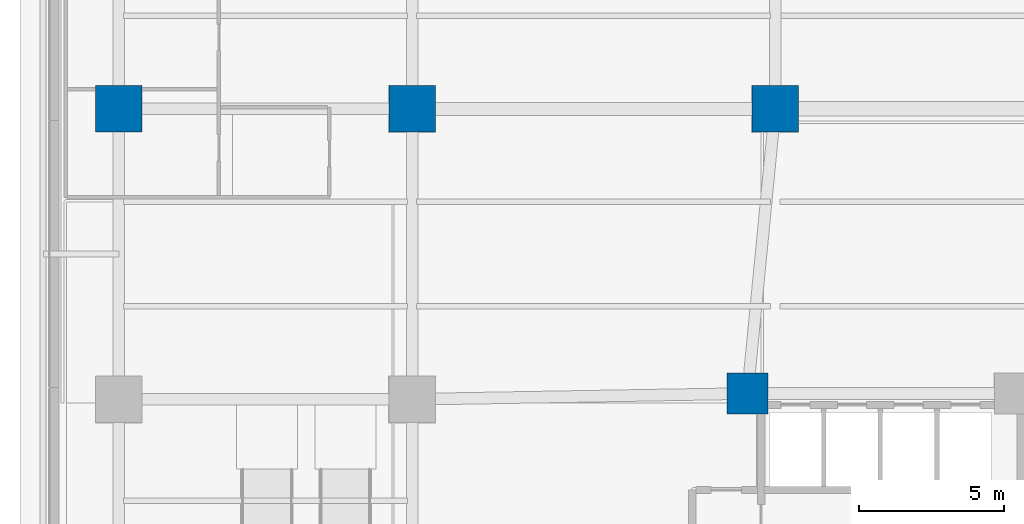
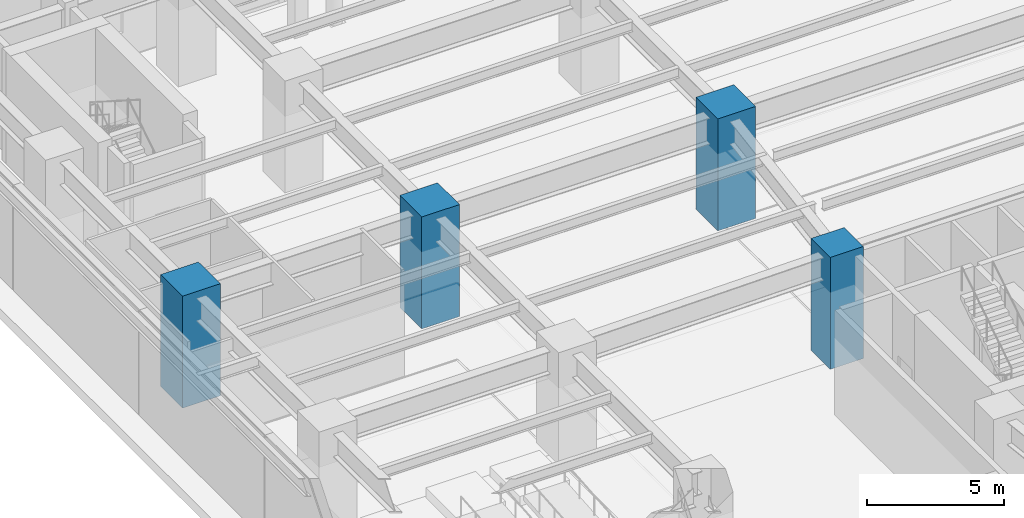
# One storey, part 2 of 26: 4 columns.
"""IFC4 building model written with IfcOpenShell, lengths in metres."""

from ifc_helpers import new_model, si_unit, direction, frame, origin, origin_2d, place, context, subcontext, project, spatial, rectangle, extrude, material, material_profile, profile_set, type_object, element, save


model = new_model("IFC4")

# Units and contexts
model_context = context("Model", 3, precision=1e-05, world=origin(), true_north=direction((0.0, 1.0)))
body_context = subcontext(model_context, "Body", "Model", "MODEL_VIEW")
ifc_project = project(units=[si_unit("LENGTHUNIT", "METRE"), si_unit("AREAUNIT", "SQUARE_METRE"), si_unit("VOLUMEUNIT", "CUBIC_METRE"), si_unit("PLANEANGLEUNIT", "RADIAN"), si_unit("MASSUNIT", "GRAM", prefix="KILO")], contexts=[model_context])

# Site, building, storey
site_placement = place(None, origin())
site = spatial("IfcSite", under=ifc_project, at=site_placement, CompositionType="ELEMENT")
building_placement = place(site_placement, origin())
building = spatial("IfcBuilding", under=site, at=building_placement, Name="Quenlor Broadcast Tower", CompositionType="ELEMENT")
storey_placement = place(building_placement, origin())
storey = spatial("IfcBuildingStorey", under=building, at=storey_placement, Name="L00", CompositionType="ELEMENT", Elevation=0.0)

# Columns
ifc_material_1 = material(Name="Concrete C65/80", Category="concrete")
ifc_material_profile_1 = material_profile(ifc_material_1, rectangle(XDim=1.39990234375, YDim=1.39990234375, at=origin_2d()))
ifc_profile_set_1 = profile_set([ifc_material_profile_1], Name="Concrete C65/80 RC1400x1400")
column_type_1 = type_object("IfcColumnType", Name="Core Corner Column Lower Concrete C65/80 1400", PredefinedType="COLUMN", material=ifc_profile_set_1)
column_placement = place(storey_placement, frame((-12.949951171875, -4.800048828125, 0.0), z_axis=(0.0, 0.0, 1.0), x_axis=(1.0, 0.0, 0.0)))
element("IfcColumn", 1, at=column_placement, inside=storey, type_object=column_type_1, Name="L00 Core Column CC7", PredefinedType="COLUMN", context=body_context, shape_type="SweptSolid", body=[
    extrude(rectangle(XDim=1.39990234375, YDim=1.39990234375, at=origin_2d()), origin(), (0.0, 0.0, 1.0), 5.0),
])
ifc_material_2 = material(Name="Concrete C65/80", Category="concrete")
ifc_material_profile_2 = material_profile(ifc_material_2, rectangle(XDim=1.60009765625, YDim=1.60009765625, at=origin_2d()))
ifc_profile_set_2 = profile_set([ifc_material_profile_2], Name="Concrete C65/80 RC1600x1600")
column_type_2 = type_object("IfcColumnType", Name="Podium Mega Column Concrete C65/80 1600", PredefinedType="COLUMN", material=ifc_profile_set_2)
for number, where, z_axis, x_axis, name in (
    (2, (-34.60009765625, 5.0, 0.0), (0.0, 0.0, 1.0), (1.0, 0.0, 0.0), "L00 Podium Mega Column PM15"),
    (3, (-24.5, 5.0, 0.0), (0.0, 0.0, 1.0), (1.0, 0.0, 0.0), "L00 Podium Mega Column PM16"),
    (4, (-12.0, 5.0, 0.0), (0.0, 0.0, 1.0), (1.0, 0.0, 0.0), "L00 Podium Mega Column PM17"),
):
    element("IfcColumn", number, at=place(storey_placement, frame(where, z_axis=z_axis, x_axis=x_axis)), inside=storey, type_object=column_type_2, Name=name, PredefinedType="COLUMN", context=body_context, shape_type="SweptSolid", body=[
        extrude(rectangle(XDim=1.60009765625, YDim=1.60009765625, at=origin_2d()), origin(), (0.0, 0.0, 1.0), 5.0),
    ])

save(model, "model.ifc")
